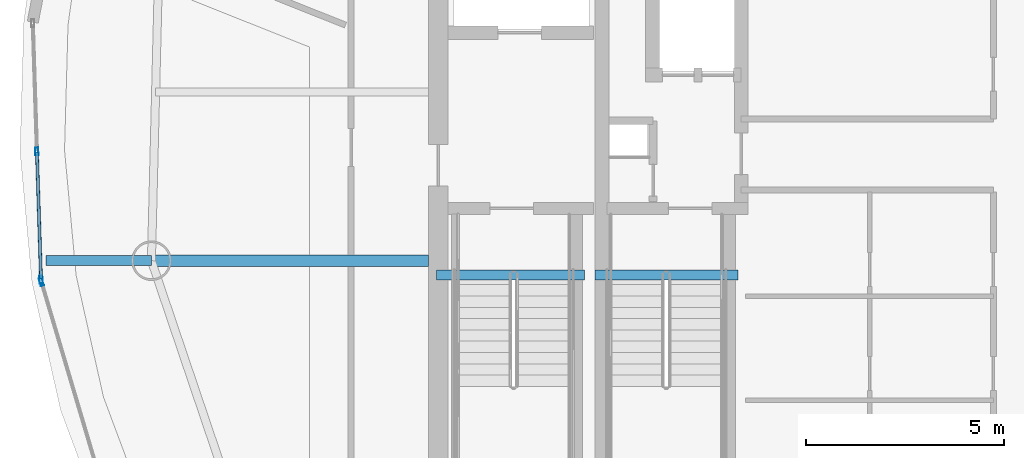
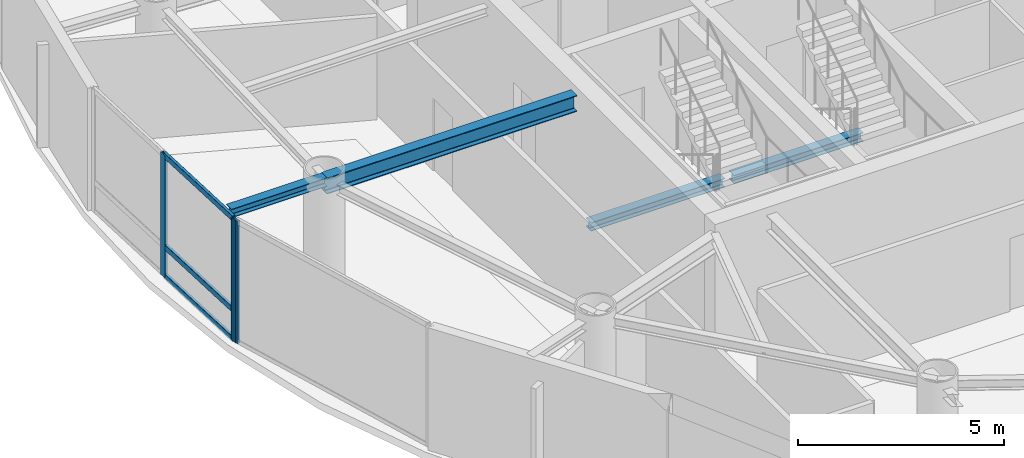
# One storey, part 5 of 23: 6 members, 4 beams, 2 elements without a shape of their own.
"""IFC4 building model written with IfcOpenShell, lengths in metres."""

from ifc_helpers import new_model, si_unit, direction, frame, origin, origin_2d, place, context, subcontext, project, spatial, hollow_rectangle, i_section, extrude, material, layer, layer_set, material_profile, profile_set, type_object, element, aggregate, save


model = new_model("IFC4")

# Units and contexts
model_context = context("Model", 3, precision=1e-05, world=origin(), true_north=direction((0.0, 1.0)))
body_context = subcontext(model_context, "Body", "Model", "MODEL_VIEW")
ifc_project = project(units=[si_unit("LENGTHUNIT", "METRE"), si_unit("AREAUNIT", "SQUARE_METRE"), si_unit("VOLUMEUNIT", "CUBIC_METRE"), si_unit("PLANEANGLEUNIT", "RADIAN"), si_unit("MASSUNIT", "GRAM", prefix="KILO")], contexts=[model_context])

# Site, building, storey
site_placement = place(None, origin())
site = spatial("IfcSite", under=ifc_project, at=site_placement, CompositionType="ELEMENT")
building_placement = place(site_placement, origin())
building = spatial("IfcBuilding", under=site, at=building_placement, Name="Bramvorn Convention Spire", CompositionType="ELEMENT")
storey_placement = place(building_placement, frame((0.0, 0.0, 295.949951171875)))
storey = spatial("IfcBuildingStorey", under=building, at=storey_placement, Name="L75", CompositionType="ELEMENT", Elevation=295.949951171875)

# Beams
ifc_material_1 = material(Name="Steel CSA G40.21 Grade 350 (350W)", Category="steel")
ifc_material_profile_1 = material_profile(ifc_material_1, i_section(OverallWidth=0.25390625, OverallDepth=0.2529296875, WebThickness=0.008544921875, FlangeThickness=0.01416015625, FilletRadius=0.011962890625, at=origin_2d()))
ifc_profile_set_1 = profile_set([ifc_material_profile_1], Name="Steel CSA G40.21 Grade 350 (350W) - W250X73")
beam_type_1 = type_object("IfcBeamType", Name="BM-W250X73", PredefinedType="BEAM", material=ifc_profile_set_1)
beam_1_placement = place(storey_placement, frame((19.765380859375, 25.37060546875, 3.49853515625), z_axis=(-1.0, 0.0, 0.0), x_axis=(0.0, -1.0, 0.0)))
element("IfcBeam", 1, at=beam_1_placement, inside=storey, type_object=beam_type_1, Name="L75 slab-edge cantilever tip beam MC12", PredefinedType="BEAM", context=body_context, shape_type="SweptSolid", body=[
    extrude(i_section(OverallWidth=0.25390625, OverallDepth=0.2529296875, WebThickness=0.008544921875, FlangeThickness=0.01416015625, FilletRadius=0.011962890625, at=origin_2d()), origin(), (0.0, 0.0, 1.0), 2.662841796875),
])
beam_2_placement = place(storey_placement, frame((26.949951171875, 25.010009765625, -0.12646484375), z_axis=(1.0, 0.0, 0.0), x_axis=(0.0, 1.0, 0.0)))
element("IfcBeam", 2, at=beam_2_placement, inside=storey, type_object=beam_type_1, Name="L75 ST1 stair arrival header beam", PredefinedType="BEAM", context=body_context, shape_type="SweptSolid", body=[
    extrude(i_section(OverallWidth=0.25390625, OverallDepth=0.2529296875, WebThickness=0.008544921875, FlangeThickness=0.01416015625, FilletRadius=0.011962890625, at=origin_2d()), origin(), (0.0, 0.0, 1.0), 3.739990234375),
])
beam_3_placement = place(storey_placement, frame((30.949951171875, 25.010009765625, -0.12646484375), z_axis=(1.0, 0.0, 0.0), x_axis=(0.0, 1.0, 0.0)))
element("IfcBeam", 3, at=beam_3_placement, inside=storey, type_object=beam_type_1, Name="L75 ST3 stair arrival header beam", PredefinedType="BEAM", context=body_context, shape_type="SweptSolid", body=[
    extrude(i_section(OverallWidth=0.25390625, OverallDepth=0.2529296875, WebThickness=0.008544921875, FlangeThickness=0.01416015625, FilletRadius=0.011962890625, at=origin_2d()), origin(), (0.0, 0.0, 1.0), 3.610107421875),
])
ifc_material_profile_2 = material_profile(ifc_material_1, i_section(OverallWidth=0.283935546875, OverallDepth=0.47607421875, WebThickness=0.014892578125, FlangeThickness=0.02392578125, FilletRadius=0.01806640625, at=origin_2d()))
ifc_profile_set_2 = profile_set([ifc_material_profile_2], Name="Steel CSA G40.21 Grade 350 (350W) - W460X158")
beam_type_2 = type_object("IfcBeamType", Name="BM-W460X158", PredefinedType="SPANDREL", material=ifc_profile_set_2)
beam_4_placement = place(storey_placement, frame((26.75, 25.37060546875, 3.386962890625), z_axis=(-1.0, 0.0, 0.0), x_axis=(0.0, -1.0, 0.0)))
element("IfcBeam", 4, at=beam_4_placement, inside=storey, type_object=beam_type_2, Name="L75 radial floor girder MC12", PredefinedType="SPANDREL", context=body_context, shape_type="SweptSolid", body=[
    extrude(i_section(OverallWidth=0.283935546875, OverallDepth=0.47607421875, WebThickness=0.014892578125, FlangeThickness=0.02392578125, FilletRadius=0.01806640625, at=origin_2d()), origin(), (0.0, 0.0, 1.0), 6.984619140625),
])

# Curtain wall, members
ifc_material_2 = material(Name="Anodised Bronze Unitised Curtain Wall", Category="aluminium")
ifc_layer = layer(ifc_material_2, 0.179931640625)
ifc_layer_set = layer_set([ifc_layer], Name="Anodised Bronze Unitised Curtain Wall - CW-OFF-FRIT")
curtain_wall_type = type_object("IfcCurtainWallType", Name="CW-OFF-FRIT", PredefinedType="USERDEFINED", material=ifc_layer_set)
curtain_wall_1_placement = place(storey_placement, origin())
curtain_wall_1 = element("IfcCurtainWall", 5, at=curtain_wall_1_placement, inside=storey, type_object=curtain_wall_type, Name="L75 fritted glass curtain wall 17", ObjectType="UNITISED CURTAIN WALL", PredefinedType="USERDEFINED")
ifc_material_3 = material(Name="Anodised Bronze Aluminium 6063-T6", Category="aluminium")
ifc_material_profile_3 = material_profile(ifc_material_3, hollow_rectangle(XDim=0.080078125, YDim=0.199951171875, WallThickness=0.00390625, InnerFilletRadius=0.0009765625, OuterFilletRadius=0.00390625, at=origin_2d()))
ifc_profile_set_3 = profile_set([ifc_material_profile_3], Name="Anodised Bronze Aluminium 6063-T6 - CWM80X200")
member_type_1 = type_object("IfcMemberType", Name="CW-MUL-180", PredefinedType="MULLION", material=ifc_profile_set_3)
member_1_placement = place(storey_placement, frame((16.98095703125, 24.89404296875, 0.0), z_axis=(0.0, 0.0, 1.0), x_axis=(-0.999483136292, -0.032147476854, 0.0)))
member_1 = element("IfcMember", 6, at=member_1_placement, type_object=member_type_1, Name="CW3 mullion 1", PredefinedType="MULLION", context=body_context, shape_type="SweptSolid", body=[
    extrude(hollow_rectangle(XDim=0.080078125, YDim=0.199951171875, WallThickness=0.00390625, InnerFilletRadius=0.0009765625, OuterFilletRadius=0.00390625, at=origin_2d()), origin(), (0.0, 0.0, 1.0), 3.625),
])
member_2_placement = place(storey_placement, frame((16.876953125, 28.12548828125, 0.0), z_axis=(0.0, 0.0, 1.0), x_axis=(-0.999483136292, -0.032147476854, 0.0)))
member_2 = element("IfcMember", 7, at=member_2_placement, type_object=member_type_1, Name="CW3 mullion 2", PredefinedType="MULLION", context=body_context, shape_type="SweptSolid", body=[
    extrude(hollow_rectangle(XDim=0.080078125, YDim=0.199951171875, WallThickness=0.00390625, InnerFilletRadius=0.0009765625, OuterFilletRadius=0.00390625, at=origin_2d()), origin(), (0.0, 0.0, 1.0), 3.625),
])

# Curtain wall, member
curtain_wall_2_placement = place(storey_placement, origin())
curtain_wall_2 = element("IfcCurtainWall", 8, at=curtain_wall_2_placement, inside=storey, type_object=curtain_wall_type, Name="L75 fritted glass curtain wall 18", ObjectType="UNITISED CURTAIN WALL", PredefinedType="USERDEFINED")
member_3_placement = place(storey_placement, frame((16.990478515625, 24.83544921875, 0.0), z_axis=(0.0, 0.0, 1.0), x_axis=(-0.958477406758, -0.285168477807, 0.0)))
member_3 = element("IfcMember", 9, at=member_3_placement, type_object=member_type_1, Name="CW3 mullion 2", PredefinedType="MULLION", context=body_context, shape_type="SweptSolid", body=[
    extrude(hollow_rectangle(XDim=0.080078125, YDim=0.199951171875, WallThickness=0.00390625, InnerFilletRadius=0.0009765625, OuterFilletRadius=0.00390625, at=origin_2d()), origin(), (0.0, 0.0, 1.0), 3.625),
])
aggregate(curtain_wall_2, [member_3])

# Member
ifc_material_profile_4 = material_profile(ifc_material_3, hollow_rectangle(XDim=0.080078125, YDim=0.159912109375, WallThickness=0.00390625, InnerFilletRadius=0.0009765625, OuterFilletRadius=0.00390625, at=origin_2d()))
ifc_profile_set_4 = profile_set([ifc_material_profile_4], Name="Anodised Bronze Aluminium 6063-T6 - CWT80X160")
member_type_2 = type_object("IfcMemberType", Name="CW-TRN-150", PredefinedType="USERDEFINED", material=ifc_profile_set_4)
member_4_placement = place(storey_placement, frame((16.97998046875, 24.924072265625, 0.030029296875), z_axis=(-0.032161951987, 0.999482670607, 0.0), x_axis=(-0.999482670607, -0.032161951987, 0.0)))
member_4 = element("IfcMember", 10, at=member_4_placement, type_object=member_type_2, Name="CW3 transom 1.1", ObjectType="TRANSOM", PredefinedType="USERDEFINED", context=body_context, shape_type="SweptSolid", body=[
    extrude(hollow_rectangle(XDim=0.080078125, YDim=0.159912109375, WallThickness=0.00390625, InnerFilletRadius=0.0009765625, OuterFilletRadius=0.00390625, at=origin_2d()), origin(), (0.0, 0.0, 1.0), 3.173095703125),
])

member_5_placement = place(storey_placement, frame((16.97998046875, 24.924072265625, 0.900146484375), z_axis=(-0.032161951987, 0.999482670607, 0.0), x_axis=(-0.999482670607, -0.032161951987, 0.0)))
member_5 = element("IfcMember", 11, at=member_5_placement, type_object=member_type_2, Name="CW3 transom 1.2", ObjectType="TRANSOM", PredefinedType="USERDEFINED", context=body_context, shape_type="SweptSolid", body=[
    extrude(hollow_rectangle(XDim=0.080078125, YDim=0.159912109375, WallThickness=0.00390625, InnerFilletRadius=0.0009765625, OuterFilletRadius=0.00390625, at=origin_2d()), origin(), (0.0, 0.0, 1.0), 3.173095703125),
])

member_6_placement = place(storey_placement, frame((16.97998046875, 24.924072265625, 3.594970703125), z_axis=(-0.032161951987, 0.999482670607, 0.0), x_axis=(-0.999482670607, -0.032161951987, 0.0)))
member_6 = element("IfcMember", 12, at=member_6_placement, type_object=member_type_2, Name="CW3 transom 1.3", ObjectType="TRANSOM", PredefinedType="USERDEFINED", context=body_context, shape_type="SweptSolid", body=[
    extrude(hollow_rectangle(XDim=0.080078125, YDim=0.159912109375, WallThickness=0.00390625, InnerFilletRadius=0.0009765625, OuterFilletRadius=0.00390625, at=origin_2d()), origin(), (0.0, 0.0, 1.0), 3.173095703125),
])

aggregate(curtain_wall_1, [member_1, member_2, member_4, member_5, member_6])

save(model, "model.ifc")
